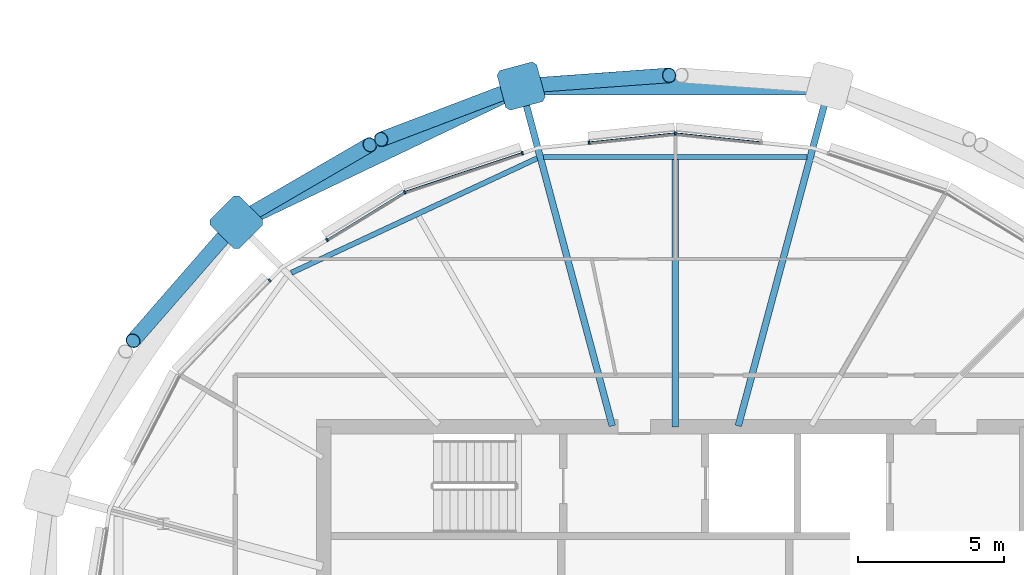
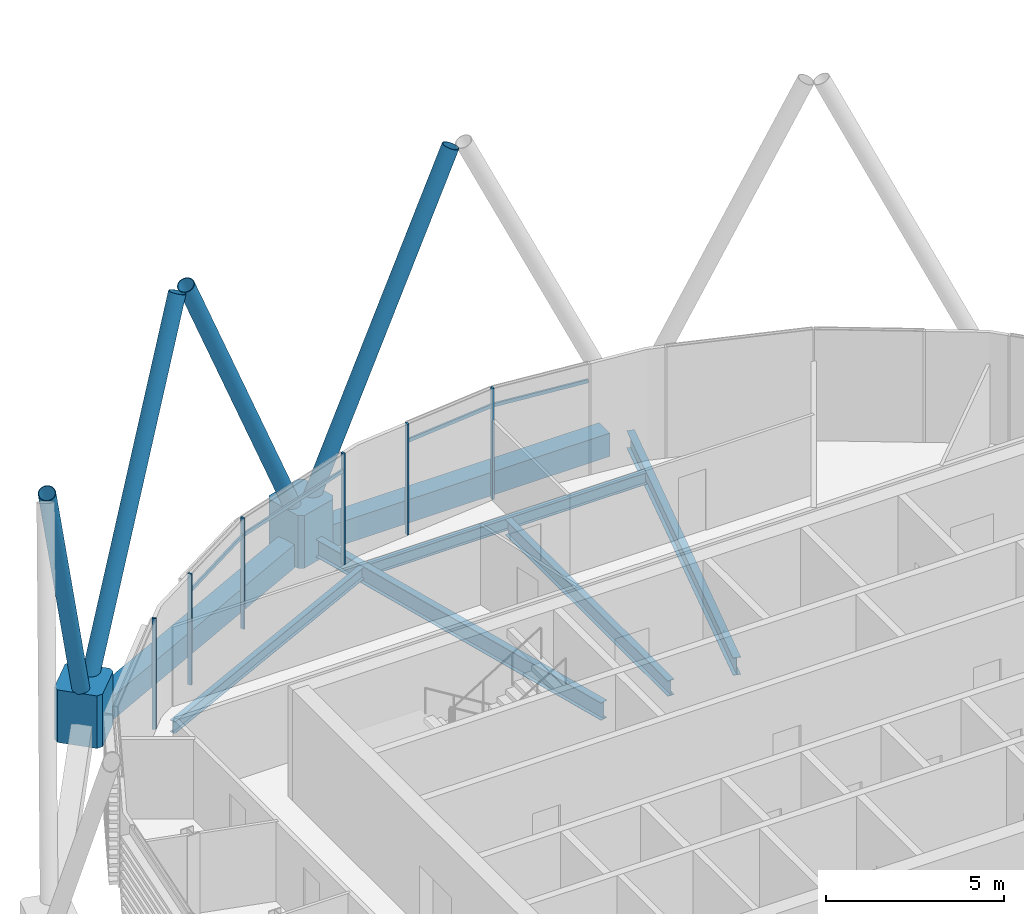
# One storey, part 8 of 31: 16 members, 7 beams, 1 element without a shape of its own.
"""IFC4 building model written with IfcOpenShell, lengths in metres."""

from ifc_helpers import new_model, si_unit, direction, frame, origin, origin_2d, place, context, subcontext, project, spatial, polyline, rectangle, hollow_rectangle, hollow_circle, i_section, outline, extrude, material, material_profile, profile_set, type_object, element, aggregate, save


model = new_model("IFC4")

# Units and contexts
model_context = context("Model", 3, precision=1e-05, world=origin(), true_north=direction((0.0, 1.0)))
body_context = subcontext(model_context, "Body", "Model", "MODEL_VIEW")
ifc_project = project(units=[si_unit("LENGTHUNIT", "METRE"), si_unit("AREAUNIT", "SQUARE_METRE"), si_unit("VOLUMEUNIT", "CUBIC_METRE"), si_unit("PLANEANGLEUNIT", "RADIAN"), si_unit("MASSUNIT", "GRAM", prefix="KILO")], contexts=[model_context])

# Site, building, storey
site_placement = place(None, origin())
site = spatial("IfcSite", under=ifc_project, at=site_placement, CompositionType="ELEMENT")
building_placement = place(site_placement, origin())
building = spatial("IfcBuilding", under=site, at=building_placement, Name="Rimbun Link Towers", CompositionType="ELEMENT")
storey_placement = place(building_placement, frame((0.0, 0.0, 244.699951171875)))
storey = spatial("IfcBuildingStorey", under=building, at=storey_placement, Name="L60", CompositionType="ELEMENT", Elevation=244.699951171875)

# Curtain wall, members
ifc_material_1 = material(Name="Aluminium 6063-T6 and low-iron glass", Category="aluminium")
curtain_wall_type = type_object("IfcCurtainWallType", Name="CW1-Z4 unitised vision wall (zone 4)", PredefinedType="NOTDEFINED", material=ifc_material_1)
curtain_wall_placement = place(storey_placement, origin())
curtain_wall = element("IfcCurtainWall", 1, at=curtain_wall_placement, inside=storey, type_object=curtain_wall_type, Name="CW1 L60 T1", PredefinedType="NOTDEFINED")
ifc_material_2 = material(Name="Aluminium 6063-T6", Category="aluminium")
ifc_material_profile_1 = material_profile(ifc_material_2, rectangle(XDim=0.1201171875, YDim=0.06005859375, at=origin_2d()), Name="MULLION 60X120")
ifc_profile_set_1 = profile_set([ifc_material_profile_1], Name="Aluminium 6063-T6")
member_type_1 = type_object("IfcMemberType", Name="CW1 mullion 60X120", PredefinedType="MULLION", material=ifc_profile_set_1)
member_1_placement = place(storey_placement, frame((-31.75, 18.01318359375, 0.0), z_axis=(0.0, 0.0, 1.0), x_axis=(0.0, 1.0, 0.0)))
member_1 = element("IfcMember", 2, at=member_1_placement, type_object=member_type_1, Name="CW1 mullion", PredefinedType="MULLION", context=body_context, shape_type="SweptSolid", body=[
    extrude(rectangle(XDim=0.1201171875, YDim=0.06005859375, at=origin_2d()), origin(), (0.0, 0.0, 1.0), 3.800048828125),
])
member_2_placement = place(storey_placement, frame((-34.6943359375, 17.70361328125, 0.0), z_axis=(0.0, 0.0, 1.0), x_axis=(-0.10473236474, 0.994500443326, 0.0)))
member_2 = element("IfcMember", 3, at=member_2_placement, type_object=member_type_1, Name="CW1 mullion", PredefinedType="MULLION", context=body_context, shape_type="SweptSolid", body=[
    extrude(rectangle(XDim=0.1201171875, YDim=0.06005859375, at=origin_2d()), origin(), (0.0, 0.0, 1.0), 3.800048828125),
])
member_3_placement = place(storey_placement, frame((-40.988525390625, 16.01220703125, 0.0), z_axis=(0.0, 0.0, 1.0), x_axis=(-0.421699968812, 0.906735427953, 0.0)))
member_3 = element("IfcMember", 4, at=member_3_placement, type_object=member_type_1, Name="CW1 mullion", PredefinedType="MULLION", context=body_context, shape_type="SweptSolid", body=[
    extrude(rectangle(XDim=0.1201171875, YDim=0.06005859375, at=origin_2d()), origin(), (0.0, 0.0, 1.0), 3.800048828125),
])
member_4_placement = place(storey_placement, frame((-36.969482421875, 17.344482421875, 0.0), z_axis=(0.0, 0.0, 1.0), x_axis=(-0.314569451089, 0.949234460205, 0.0)))
member_4 = element("IfcMember", 5, at=member_4_placement, type_object=member_type_1, Name="CW1 mullion", PredefinedType="MULLION", context=body_context, shape_type="SweptSolid", body=[
    extrude(rectangle(XDim=0.1201171875, YDim=0.06005859375, at=origin_2d()), origin(), (0.0, 0.0, 1.0), 3.800048828125),
])
member_5_placement = place(storey_placement, frame((-43.6396484375, 14.385009765625, 0.0), z_axis=(0.0, 0.0, 1.0), x_axis=(-0.523228997113, 0.852192124219, 0.0)))
member_5 = element("IfcMember", 6, at=member_5_placement, type_object=member_type_1, Name="CW1 mullion", PredefinedType="MULLION", context=body_context, shape_type="SweptSolid", body=[
    extrude(rectangle(XDim=0.1201171875, YDim=0.06005859375, at=origin_2d()), origin(), (0.0, 0.0, 1.0), 3.800048828125),
])
member_6_placement = place(storey_placement, frame((-45.6005859375, 13.00048828125, 0.0), z_axis=(0.0, 0.0, 1.0), x_axis=(-0.721858292347, 0.692040898915, 0.0)))
member_6 = element("IfcMember", 7, at=member_6_placement, type_object=member_type_1, Name="CW1 mullion", PredefinedType="MULLION", context=body_context, shape_type="SweptSolid", body=[
    extrude(rectangle(XDim=0.1201171875, YDim=0.06005859375, at=origin_2d()), origin(), (0.0, 0.0, 1.0), 3.800048828125),
])
ifc_material_3 = material(Name="Aluminium 6063-T6", Category="aluminium")
ifc_material_profile_2 = material_profile(ifc_material_3, rectangle(XDim=0.06005859375, YDim=0.1201171875, at=origin_2d()), Name="TRANSOM 60X120")
ifc_profile_set_2 = profile_set([ifc_material_profile_2], Name="Aluminium 6063-T6")
member_type_2 = type_object("IfcMemberType", Name="CW1 transom 60X120", PredefinedType="USERDEFINED", material=ifc_profile_set_2)
member_7_placement = place(storey_placement, frame((-31.714111328125, 18.0078125, 3.199951171875), z_axis=(0.99449713024, -0.104763819827, 0.0), x_axis=(0.104763819827, 0.99449713024, 0.0)))
member_7 = element("IfcMember", 8, at=member_7_placement, type_object=member_type_2, Name="CW1 transom", ObjectType="TRANSOM", PredefinedType="USERDEFINED", context=body_context, shape_type="SweptSolid", body=[
    extrude(rectangle(XDim=0.06005859375, YDim=0.1201171875, at=origin_2d()), origin(), (0.0, 0.0, 1.0), 2.894287109375),
])
member_8_placement = place(storey_placement, frame((-34.664306640625, 17.70458984375, 3.199951171875), z_axis=(0.99449713024, 0.104763819827, 0.0), x_axis=(-0.104763819827, 0.99449713024, 0.0)))
member_8 = element("IfcMember", 9, at=member_8_placement, type_object=member_type_2, Name="CW1 transom", ObjectType="TRANSOM", PredefinedType="USERDEFINED", context=body_context, shape_type="SweptSolid", body=[
    extrude(rectangle(XDim=0.06005859375, YDim=0.1201171875, at=origin_2d()), origin(), (0.0, 0.0, 1.0), 2.894287109375),
])
member_9_placement = place(storey_placement, frame((-40.953125, 16.022216796875, 3.199951171875), z_axis=(0.949226715592, 0.314592820017, 0.0), x_axis=(-0.314592820017, 0.949226715592, 0.0)))
member_9 = element("IfcMember", 10, at=member_9_placement, type_object=member_type_2, Name="CW1 transom", ObjectType="TRANSOM", PredefinedType="USERDEFINED", context=body_context, shape_type="SweptSolid", body=[
    extrude(rectangle(XDim=0.06005859375, YDim=0.1201171875, at=origin_2d()), origin(), (0.0, 0.0, 1.0), 4.16748046875),
])
member_10_placement = place(storey_placement, frame((-43.613037109375, 14.39892578125, 3.199951171875), z_axis=(0.852189422972, 0.523233396654, 0.0), x_axis=(-0.523233396654, 0.852189422972, 0.0)))
member_10 = element("IfcMember", 11, at=member_10_placement, type_object=member_type_2, Name="CW1 transom", ObjectType="TRANSOM", PredefinedType="USERDEFINED", context=body_context, shape_type="SweptSolid", body=[
    extrude(rectangle(XDim=0.06005859375, YDim=0.1201171875, at=origin_2d()), origin(), (0.0, 0.0, 1.0), 3.043701171875),
])
aggregate(curtain_wall, [member_1, member_2, member_3, member_4, member_5, member_6, member_7, member_8, member_9, member_10])

# Members
ifc_material_4 = material(Name="Steel S355J2H", Category="steel")
ifc_material_profile_3 = material_profile(ifc_material_4, hollow_circle(Radius=0.25390625, WallThickness=0.02001953125, at=origin_2d()), Name="Diagrid diagonal CHS 508x20")
ifc_profile_set_3 = profile_set([ifc_material_profile_3], Name="Steel S355J2H")
member_type_3 = type_object("IfcMemberType", Name="Diagrid diagonal CHS 508x20", PredefinedType="BRACE", material=ifc_profile_set_3)
member_11_placement = place(storey_placement, frame((-36.801513671875, 19.64892578125, 0.453857421875), z_axis=(0.418821529999, 0.030303478826, 0.90756279407), x_axis=(-0.072165506105, 0.997392670782, 0.0)))
element("IfcMember", 12, at=member_11_placement, inside=storey, type_object=member_type_3, Name="Diagrid diagonal T1 L60-L63 07a", PredefinedType="BRACE", context=body_context, shape_type="SweptSolid", body=[
    extrude(hollow_circle(Radius=0.25390625, WallThickness=0.02001953125, at=origin_2d()), origin(), (0.0, 0.0, 1.0), 11.56103515625),
])
member_12_placement = place(storey_placement, frame((-37.208740234375, 19.55859375, 0.453125), z_axis=(-0.395784508652, -0.150629526777, 0.905905827542), x_axis=(0.355695220175, -0.934602006388, 0.0)))
element("IfcMember", 13, at=member_12_placement, inside=storey, type_object=member_type_3, Name="Diagrid diagonal T1 L60-L63 07b", PredefinedType="BRACE", context=body_context, shape_type="SweptSolid", body=[
    extrude(hollow_circle(Radius=0.25390625, WallThickness=0.02001953125, at=origin_2d()), origin(), (0.0, 0.0, 1.0), 11.583984375),
])
member_13_placement = place(storey_placement, frame((-46.545654296875, 15.091796875, 0.45068359375), z_axis=(0.374829095169, 0.217810343556, 0.901144718486), x_axis=(-0.502424689454, 0.864620975588, 0.0)))
element("IfcMember", 14, at=member_13_placement, inside=storey, type_object=member_type_3, Name="Diagrid diagonal T1 L60-L63 09a", PredefinedType="BRACE", context=body_context, shape_type="SweptSolid", body=[
    extrude(hollow_circle(Radius=0.25390625, WallThickness=0.02001953125, at=origin_2d()), origin(), (0.0, 0.0, 1.0), 11.650390625),
])
member_14_placement = place(storey_placement, frame((-46.877685546875, 14.817138671875, 0.448974609375), z_axis=(-0.289292505479, -0.331750183244, 0.897915175387), x_axis=(0.753689003324, -0.6572312274, 0.0)))
element("IfcMember", 15, at=member_14_placement, inside=storey, type_object=member_type_3, Name="Diagrid diagonal T1 L60-L63 09b", PredefinedType="BRACE", context=body_context, shape_type="SweptSolid", body=[
    extrude(hollow_circle(Radius=0.25390625, WallThickness=0.02001953125, at=origin_2d()), origin(), (0.0, 0.0, 1.0), 11.696044921875),
])
ifc_material_5 = material(Name="Cast steel G20Mn5+QT, Rp0.2 300 MPa", Category="steel")
ifc_material_profile_4 = material_profile(ifc_material_5, outline(polyline([(0.699951171875, -0.570068359375), (0.699951171875, 0.570068359375), (0.570068359375, 0.699951171875), (-0.570068359375, 0.699951171875), (-0.699951171875, 0.570068359375), (-0.699951171875, -0.570068359375), (-0.570068359375, -0.699951171875), (0.570068359375, -0.699951171875), (0.699951171875, -0.570068359375)])), Name="NODE 1400x1400")
ifc_profile_set_4 = profile_set([ifc_material_profile_4], Name="Cast steel G20Mn5+QT, Rp0.2 300 MPa")
member_type_4 = type_object("IfcMemberType", Name="Diagrid node cast 1400", PredefinedType="USERDEFINED", material=ifc_profile_set_4)
for number, where, z_axis, x_axis, name in (
    (16, (-37.010986328125, 19.6337890625, -0.89990234375), (0.0, 0.0, 1.0), (-0.258819045103, 0.965925826289, 0.0), "Diagrid node L60 07"),
    (17, (-46.73291015625, 14.98291015625, -0.89990234375), (0.0, 0.0, 1.0), (-0.707106781187, 0.707106781187, 0.0), "Diagrid node L60 09"),
):
    element("IfcMember", number, at=place(storey_placement, frame(where, z_axis=z_axis, x_axis=x_axis)), inside=storey, type_object=member_type_4, Name=name, ObjectType="Diagrid node", PredefinedType="USERDEFINED", context=body_context, shape_type="SweptSolid", body=[
        extrude(outline(polyline([(0.699951171875, -0.570068359375), (0.699951171875, 0.570068359375), (0.570068359375, 0.699951171875), (-0.570068359375, 0.699951171875), (-0.699951171875, 0.570068359375), (-0.699951171875, -0.570068359375), (-0.570068359375, -0.699951171875), (0.570068359375, -0.699951171875), (0.699951171875, -0.570068359375)])), origin(), (0.0, 0.0, 1.0), 1.800048828125),
    ])

# Beams
ifc_material_6 = material(Name="Steel S355J2", Category="steel")
ifc_material_profile_5 = material_profile(ifc_material_6, hollow_rectangle(XDim=0.60009765625, YDim=0.800048828125, WallThickness=0.0400390625, at=origin_2d()), Name="Exoskeleton ring girder BOX 600x800x40")
ifc_profile_set_5 = profile_set([ifc_material_profile_5], Name="Steel S355J2")
beam_type_1 = type_object("IfcBeamType", Name="Exoskeleton ring girder BOX 600x800x40", PredefinedType="BEAM", material=ifc_profile_set_5)
beam_1_placement = place(storey_placement, frame((-27.189208984375, 19.6337890625, -0.56005859375), z_axis=(-1.0, 0.0, 0.0), x_axis=(0.0, -1.0, 0.0)))
element("IfcBeam", 18, at=beam_1_placement, inside=storey, type_object=beam_type_1, Name="Exoskeleton ring girder L60 02", PredefinedType="BEAM", context=body_context, shape_type="SweptSolid", body=[
    extrude(hollow_rectangle(XDim=0.60009765625, YDim=0.800048828125, WallThickness=0.0400390625, at=origin_2d()), origin(), (0.0, 0.0, 1.0), 9.12158203125),
])
beam_2_placement = place(storey_placement, frame((-37.642333984375, 19.331787109375, -0.56005859375), z_axis=(-0.902096326814, -0.431534722992, 0.0), x_axis=(0.431534722992, -0.902096326814, 0.0)))
element("IfcBeam", 19, at=beam_2_placement, inside=storey, type_object=beam_type_1, Name="Exoskeleton ring girder L60 03", PredefinedType="BEAM", context=body_context, shape_type="SweptSolid", body=[
    extrude(hollow_rectangle(XDim=0.60009765625, YDim=0.800048828125, WallThickness=0.0400390625, at=origin_2d()), origin(), (0.0, 0.0, 1.0), 9.377197265625),
])
ifc_material_7 = material(Name="Steel S355J2", Category="steel")
ifc_material_profile_6 = material_profile(ifc_material_7, i_section(OverallWidth=0.177978515625, OverallDepth=0.406494140625, WebThickness=0.0078125, FlangeThickness=0.0126953125, at=origin_2d()), Name="UB 406x178x60")
ifc_profile_set_6 = profile_set([ifc_material_profile_6], Name="Steel S355J2")
beam_type_2 = type_object("IfcBeamType", Name="UB 406x178x60", PredefinedType="BEAM", material=ifc_profile_set_6)
beam_3_placement = place(storey_placement, frame((-27.255859375, 17.216064453125, -0.34326171875), z_axis=(-1.0, 0.0, 0.0), x_axis=(0.0, -1.0, 0.0)))
element("IfcBeam", 20, at=beam_3_placement, inside=storey, type_object=beam_type_2, Name="Edge beam T1 L60 05-07", PredefinedType="BEAM", context=body_context, shape_type="SweptSolid", body=[
    extrude(i_section(OverallWidth=0.177978515625, OverallDepth=0.406494140625, WebThickness=0.0078125, FlangeThickness=0.0126953125, at=origin_2d()), origin(), (0.0, 0.0, 1.0), 8.98828125),
])
beam_4_placement = place(storey_placement, frame((-36.46875, 17.1669921875, -0.34326171875), z_axis=(-0.906430969705, -0.42235399508, 0.0), x_axis=(0.42235399508, -0.906430969705, 0.0)))
element("IfcBeam", 21, at=beam_4_placement, inside=storey, type_object=beam_type_2, Name="Edge beam T1 L60 07-09", PredefinedType="BEAM", context=body_context, shape_type="SweptSolid", body=[
    extrude(i_section(OverallWidth=0.177978515625, OverallDepth=0.406494140625, WebThickness=0.0078125, FlangeThickness=0.0126953125, at=origin_2d()), origin(), (0.0, 0.0, 1.0), 9.255615234375),
])
ifc_material_8 = material(Name="Steel S355J2", Category="steel")
ifc_material_profile_7 = material_profile(ifc_material_8, i_section(OverallWidth=0.209228515625, OverallDepth=0.533203125, WebThickness=0.010009765625, FlangeThickness=0.015625, at=origin_2d()), Name="UB 533x210x92")
ifc_profile_set_7 = profile_set([ifc_material_profile_7], Name="Steel S355J2")
beam_type_3 = type_object("IfcBeamType", Name="UB 533x210x92", PredefinedType="BEAM", material=ifc_profile_set_7)
beam_5_placement = place(storey_placement, frame((-31.75, 8.0009765625, -0.406494140625), z_axis=(0.0, 1.0, 0.0), x_axis=(-1.0, 0.0, 0.0)))
element("IfcBeam", 22, at=beam_5_placement, inside=storey, type_object=beam_type_3, Name="Radial beam T1 L60 06", PredefinedType="BEAM", context=body_context, shape_type="SweptSolid", body=[
    extrude(i_section(OverallWidth=0.209228515625, OverallDepth=0.533203125, WebThickness=0.010009765625, FlangeThickness=0.015625, at=origin_2d()), origin(), (0.0, 0.0, 1.0), 9.125244140625),
])
ifc_material_9 = material(Name="Steel S355J2", Category="steel")
ifc_material_profile_8 = material_profile(ifc_material_9, i_section(OverallWidth=0.2275390625, OverallDepth=0.6025390625, WebThickness=0.010498046875, FlangeThickness=0.014892578125, at=origin_2d()), Name="UB 610x229x101")
ifc_profile_set_8 = profile_set([ifc_material_profile_8], Name="Steel S355J2")
beam_type_4 = type_object("IfcBeamType", Name="UB 610x229x101", PredefinedType="BEAM", material=ifc_profile_set_8)
for number, where, z_axis, x_axis, name in (
    (23, (-29.59814453125, 8.030517578125, -0.441162109375), (0.258822650732, 0.965924860156, 0.0), (-0.965924860156, 0.258822650732, 0.0), "Radial beam T1 L60 05"),
    (24, (-33.90185546875, 8.030517578125, -0.441162109375), (-0.258822650732, 0.965924860156, 0.0), (-0.965924860156, -0.258822650732, 0.0), "Radial beam T1 L60 07"),
):
    element("IfcBeam", number, at=place(storey_placement, frame(where, z_axis=z_axis, x_axis=x_axis)), inside=storey, type_object=beam_type_4, Name=name, PredefinedType="BEAM", context=body_context, shape_type="SweptSolid", body=[
        extrude(i_section(OverallWidth=0.2275390625, OverallDepth=0.6025390625, WebThickness=0.010498046875, FlangeThickness=0.014892578125, at=origin_2d()), origin(), (0.0, 0.0, 1.0), 11.5126953125),
    ])

save(model, "model.ifc")
